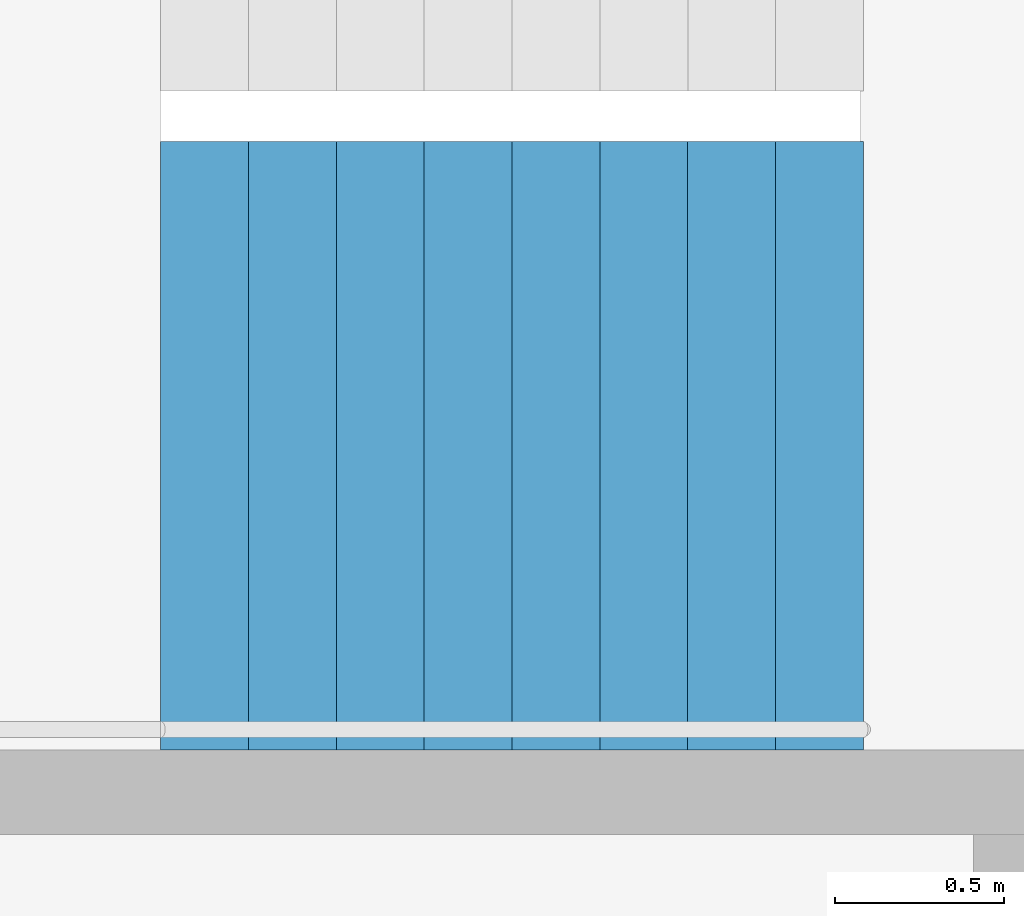
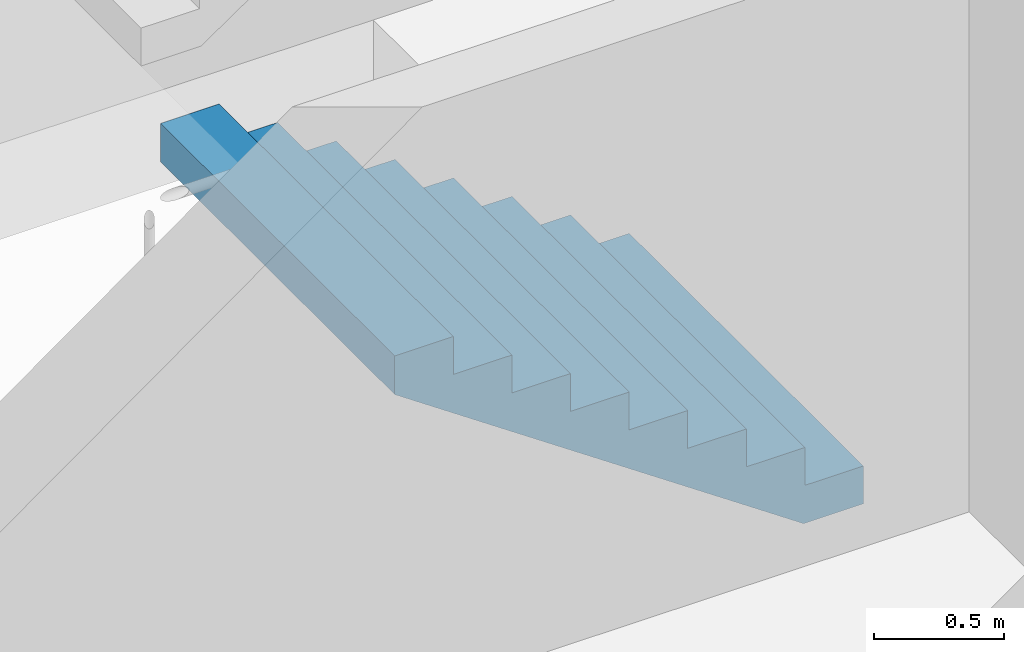
# One storey, part 22 of 28: 1 stair flight, 1 element without a shape of its own.
"""IFC4 building model written with IfcOpenShell, lengths in metres."""

from ifc_helpers import new_model, si_unit, direction, frame, origin, place, context, subcontext, project, spatial, triangles, material, type_object, element, aggregate, save


model = new_model("IFC4")

# Units and contexts
model_context = context("Model", 3, precision=1e-05, world=origin(), true_north=direction((0.0, 1.0)))
body_context = subcontext(model_context, "Body", "Model", "MODEL_VIEW")
ifc_project = project(units=[si_unit("LENGTHUNIT", "METRE"), si_unit("AREAUNIT", "SQUARE_METRE"), si_unit("VOLUMEUNIT", "CUBIC_METRE"), si_unit("PLANEANGLEUNIT", "RADIAN"), si_unit("MASSUNIT", "GRAM", prefix="KILO")], contexts=[model_context])

# Site, building, storey
site_placement = place(None, origin())
site = spatial("IfcSite", under=ifc_project, at=site_placement, CompositionType="ELEMENT")
building_placement = place(site_placement, origin())
building = spatial("IfcBuilding", under=site, at=building_placement, Name="Hakoniwa Tower and Hamabe Station Hall", CompositionType="ELEMENT")
storey_placement = place(building_placement, frame((0.0, 0.0, 218.60009765625)))
storey = spatial("IfcBuildingStorey", under=building, at=storey_placement, Name="L62", CompositionType="ELEMENT", Elevation=218.60009765625)

# Stair, stair flight
ifc_material_1 = material(Name="Concrete C40", Category="concrete")
stair_type = type_object("IfcStairType", Name="ESCAPE STAIR 1800", PredefinedType="HALF_TURN_STAIR", material=ifc_material_1)
stair_placement = place(storey_placement, origin())
stair = element("IfcStair", 1, at=stair_placement, inside=storey, type_object=stair_type, Name="Escape stair ST-3 L62", PredefinedType="HALF_TURN_STAIR")
ifc_material_2 = material(Name="Concrete C40", Category="concrete")
stair_flight_type = type_object("IfcStairFlightType", Name="STAIR FLIGHT 1800", PredefinedType="STRAIGHT", material=ifc_material_2)
stair_flight_placement = place(storey_placement, frame((24.39990234375, 4.64990234375, 0.0), z_axis=(0.0, 0.0, 1.0), x_axis=(-1.0, 0.0, 0.0)))
stair_flight = element("IfcStairFlight", 2, at=stair_flight_placement, type_object=stair_flight_type, Name="ST-3 flight 1", NumberOfRisers=9, NumberOfTreads=8, PredefinedType="STRAIGHT", RiserHeight=0.177777778, TreadLength=0.26, context=body_context, shape_type="Tessellation", body=[
    triangles([(0.0, 0.89990234375, 0.0), (0.260009765625, 0.89990234375, 0.0), (0.265625, 0.89990234375, 0.0), (0.52001953125, 0.89990234375, 0.174072265625), (0.780029296875, 0.89990234375, 0.351806640625), (1.0400390625, 0.89990234375, 0.529541015625), (1.300048828125, 0.89990234375, 0.707275390625), (1.56005859375, 0.89990234375, 0.885009765625), (1.820068359375, 0.89990234375, 1.062744140625), (2.080078125, 0.89990234375, 1.24072265625), (2.080078125, 0.89990234375, 1.422119140625), (1.820068359375, 0.89990234375, 1.422119140625), (1.820068359375, 0.89990234375, 1.244384765625), (1.56005859375, 0.89990234375, 1.244384765625), (1.56005859375, 0.89990234375, 1.066650390625), (1.300048828125, 0.89990234375, 1.066650390625), (1.300048828125, 0.89990234375, 0.888916015625), (1.0400390625, 0.89990234375, 0.888916015625), (1.0400390625, 0.89990234375, 0.711181640625), (0.780029296875, 0.89990234375, 0.711181640625), (0.780029296875, 0.89990234375, 0.533447265625), (0.52001953125, 0.89990234375, 0.533447265625), (0.52001953125, 0.89990234375, 0.35546875), (0.265625, 0.89990234375, 0.35546875), (0.260009765625, 0.89990234375, 0.35546875), (0.260009765625, 0.89990234375, 0.177734375), (0.0, 0.89990234375, 0.177734375), (0.0, 0.06005859375, 0.0), (0.260009765625, 0.06005859375, 0.0), (0.265625, 0.06005859375, 0.0), (0.52001953125, 0.06005859375, 0.174072265625), (0.780029296875, 0.06005859375, 0.351806640625), (1.0400390625, 0.06005859375, 0.529541015625), (1.300048828125, 0.06005859375, 0.707275390625), (1.56005859375, 0.06005859375, 0.885009765625), (1.820068359375, 0.06005859375, 1.062744140625), (2.080078125, 0.06005859375, 1.24072265625), (2.080078125, 0.06005859375, 1.422119140625), (1.820068359375, 0.06005859375, 1.422119140625), (1.820068359375, 0.06005859375, 1.244384765625), (1.56005859375, 0.06005859375, 1.244384765625), (1.56005859375, 0.06005859375, 1.066650390625), (1.300048828125, 0.06005859375, 1.066650390625), (1.300048828125, 0.06005859375, 0.888916015625), (1.0400390625, 0.06005859375, 0.888916015625), (1.0400390625, 0.06005859375, 0.711181640625), (0.780029296875, 0.06005859375, 0.711181640625), (0.780029296875, 0.06005859375, 0.533447265625), (0.52001953125, 0.06005859375, 0.533447265625), (0.52001953125, 0.06005859375, 0.35546875), (0.265625, 0.06005859375, 0.35546875), (0.260009765625, 0.06005859375, 0.35546875), (0.260009765625, 0.06005859375, 0.177734375), (0.0, 0.06005859375, 0.177734375), (0.0, 0.04296875, 0.0), (0.260009765625, 0.04296875, 0.0), (0.265625, 0.04296875, 0.0), (0.52001953125, 0.04296875, 0.174072265625), (0.780029296875, 0.04296875, 0.351806640625), (1.0400390625, 0.04296875, 0.529541015625), (1.300048828125, 0.04296875, 0.707275390625), (1.56005859375, 0.04296875, 0.885009765625), (1.820068359375, 0.04296875, 1.062744140625), (2.080078125, 0.04296875, 1.24072265625), (2.080078125, 0.04296875, 1.422119140625), (1.820068359375, 0.04296875, 1.422119140625), (1.820068359375, 0.04296875, 1.244384765625), (1.56005859375, 0.04296875, 1.244384765625), (1.56005859375, 0.04296875, 1.066650390625), (1.300048828125, 0.04296875, 1.066650390625), (1.300048828125, 0.04296875, 0.888916015625), (1.0400390625, 0.04296875, 0.888916015625), (1.0400390625, 0.04296875, 0.711181640625), (0.780029296875, 0.04296875, 0.711181640625), (0.780029296875, 0.04296875, 0.533447265625), (0.52001953125, 0.04296875, 0.533447265625), (0.52001953125, 0.04296875, 0.35546875), (0.265625, 0.04296875, 0.35546875), (0.260009765625, 0.04296875, 0.35546875), (0.260009765625, 0.04296875, 0.177734375), (0.0, 0.04296875, 0.177734375), (0.0, 0.025634765625, 0.0), (0.260009765625, 0.025634765625, 0.0), (0.265625, 0.025634765625, 0.0), (0.52001953125, 0.025634765625, 0.174072265625), (0.780029296875, 0.025634765625, 0.351806640625), (1.0400390625, 0.025634765625, 0.529541015625), (1.300048828125, 0.025634765625, 0.707275390625), (1.56005859375, 0.025634765625, 0.885009765625), (1.820068359375, 0.025634765625, 1.062744140625), (2.080078125, 0.025634765625, 1.24072265625), (2.080078125, 0.025634765625, 1.422119140625), (1.820068359375, 0.025634765625, 1.422119140625), (1.820068359375, 0.025634765625, 1.244384765625), (1.56005859375, 0.025634765625, 1.244384765625), (1.56005859375, 0.025634765625, 1.066650390625), (1.300048828125, 0.025634765625, 1.066650390625), (1.300048828125, 0.025634765625, 0.888916015625), (1.0400390625, 0.025634765625, 0.888916015625), (1.0400390625, 0.025634765625, 0.711181640625), (0.780029296875, 0.025634765625, 0.711181640625), (0.780029296875, 0.025634765625, 0.533447265625), (0.52001953125, 0.025634765625, 0.533447265625), (0.52001953125, 0.025634765625, 0.35546875), (0.265625, 0.025634765625, 0.35546875), (0.260009765625, 0.025634765625, 0.35546875), (0.260009765625, 0.025634765625, 0.177734375), (0.0, 0.025634765625, 0.177734375), (0.0, 0.008544921875, 0.0), (0.260009765625, 0.008544921875, 0.0), (0.265625, 0.008544921875, 0.0), (0.52001953125, 0.008544921875, 0.174072265625), (0.780029296875, 0.008544921875, 0.351806640625), (1.0400390625, 0.008544921875, 0.529541015625), (1.300048828125, 0.008544921875, 0.707275390625), (1.56005859375, 0.008544921875, 0.885009765625), (1.820068359375, 0.008544921875, 1.062744140625), (2.080078125, 0.008544921875, 1.24072265625), (2.080078125, 0.008544921875, 1.422119140625), (1.820068359375, 0.008544921875, 1.422119140625), (1.820068359375, 0.008544921875, 1.244384765625), (1.56005859375, 0.008544921875, 1.244384765625), (1.56005859375, 0.008544921875, 1.066650390625), (1.300048828125, 0.008544921875, 1.066650390625), (1.300048828125, 0.008544921875, 0.888916015625), (1.0400390625, 0.008544921875, 0.888916015625), (1.0400390625, 0.008544921875, 0.711181640625), (0.780029296875, 0.008544921875, 0.711181640625), (0.780029296875, 0.008544921875, 0.533447265625), (0.52001953125, 0.008544921875, 0.533447265625), (0.52001953125, 0.008544921875, 0.35546875), (0.265625, 0.008544921875, 0.35546875), (0.260009765625, 0.008544921875, 0.35546875), (0.260009765625, 0.008544921875, 0.177734375), (0.0, 0.008544921875, 0.177734375), (0.0, -0.008544921875, 0.0), (0.260009765625, -0.008544921875, 0.0), (0.265625, -0.008544921875, 0.0), (0.52001953125, -0.008544921875, 0.174072265625), (0.780029296875, -0.008544921875, 0.351806640625), (1.0400390625, -0.008544921875, 0.529541015625), (1.300048828125, -0.008544921875, 0.707275390625), (1.56005859375, -0.008544921875, 0.885009765625), (1.820068359375, -0.008544921875, 1.062744140625), (2.080078125, -0.008544921875, 1.24072265625), (2.080078125, -0.008544921875, 1.422119140625), (1.820068359375, -0.008544921875, 1.422119140625), (1.820068359375, -0.008544921875, 1.244384765625), (1.56005859375, -0.008544921875, 1.244384765625), (1.56005859375, -0.008544921875, 1.066650390625), (1.300048828125, -0.008544921875, 1.066650390625), (1.300048828125, -0.008544921875, 0.888916015625), (1.0400390625, -0.008544921875, 0.888916015625), (1.0400390625, -0.008544921875, 0.711181640625), (0.780029296875, -0.008544921875, 0.711181640625), (0.780029296875, -0.008544921875, 0.533447265625), (0.52001953125, -0.008544921875, 0.533447265625), (0.52001953125, -0.008544921875, 0.35546875), (0.265625, -0.008544921875, 0.35546875), (0.260009765625, -0.008544921875, 0.35546875), (0.260009765625, -0.008544921875, 0.177734375), (0.0, -0.008544921875, 0.177734375), (0.0, -0.025634765625, 0.0), (0.260009765625, -0.025634765625, 0.0), (0.265625, -0.025634765625, 0.0), (0.52001953125, -0.025634765625, 0.174072265625), (0.780029296875, -0.025634765625, 0.351806640625), (1.0400390625, -0.025634765625, 0.529541015625), (1.300048828125, -0.025634765625, 0.707275390625), (1.56005859375, -0.025634765625, 0.885009765625), (1.820068359375, -0.025634765625, 1.062744140625), (2.080078125, -0.025634765625, 1.24072265625), (2.080078125, -0.025634765625, 1.422119140625), (1.820068359375, -0.025634765625, 1.422119140625), (1.820068359375, -0.025634765625, 1.244384765625), (1.56005859375, -0.025634765625, 1.244384765625), (1.56005859375, -0.025634765625, 1.066650390625), (1.300048828125, -0.025634765625, 1.066650390625), (1.300048828125, -0.025634765625, 0.888916015625), (1.0400390625, -0.025634765625, 0.888916015625), (1.0400390625, -0.025634765625, 0.711181640625), (0.780029296875, -0.025634765625, 0.711181640625), (0.780029296875, -0.025634765625, 0.533447265625), (0.52001953125, -0.025634765625, 0.533447265625), (0.52001953125, -0.025634765625, 0.35546875), (0.265625, -0.025634765625, 0.35546875), (0.260009765625, -0.025634765625, 0.35546875), (0.260009765625, -0.025634765625, 0.177734375), (0.0, -0.025634765625, 0.177734375), (0.0, -0.04296875, 0.0), (0.260009765625, -0.04296875, 0.0), (0.265625, -0.04296875, 0.0), (0.52001953125, -0.04296875, 0.174072265625), (0.780029296875, -0.04296875, 0.351806640625), (1.0400390625, -0.04296875, 0.529541015625), (1.300048828125, -0.04296875, 0.707275390625), (1.56005859375, -0.04296875, 0.885009765625), (1.820068359375, -0.04296875, 1.062744140625), (2.080078125, -0.04296875, 1.24072265625), (2.080078125, -0.04296875, 1.422119140625), (1.820068359375, -0.04296875, 1.422119140625), (1.820068359375, -0.04296875, 1.244384765625), (1.56005859375, -0.04296875, 1.244384765625), (1.56005859375, -0.04296875, 1.066650390625), (1.300048828125, -0.04296875, 1.066650390625), (1.300048828125, -0.04296875, 0.888916015625), (1.0400390625, -0.04296875, 0.888916015625), (1.0400390625, -0.04296875, 0.711181640625), (0.780029296875, -0.04296875, 0.711181640625), (0.780029296875, -0.04296875, 0.533447265625), (0.52001953125, -0.04296875, 0.533447265625), (0.52001953125, -0.04296875, 0.35546875), (0.265625, -0.04296875, 0.35546875), (0.260009765625, -0.04296875, 0.35546875), (0.260009765625, -0.04296875, 0.177734375), (0.0, -0.04296875, 0.177734375), (0.0, -0.06005859375, 0.0), (0.260009765625, -0.06005859375, 0.0), (0.265625, -0.06005859375, 0.0), (0.52001953125, -0.06005859375, 0.174072265625), (0.780029296875, -0.06005859375, 0.351806640625), (1.0400390625, -0.06005859375, 0.529541015625), (1.300048828125, -0.06005859375, 0.707275390625), (1.56005859375, -0.06005859375, 0.885009765625), (1.820068359375, -0.06005859375, 1.062744140625), (2.080078125, -0.06005859375, 1.24072265625), (2.080078125, -0.06005859375, 1.422119140625), (1.820068359375, -0.06005859375, 1.422119140625), (1.820068359375, -0.06005859375, 1.244384765625), (1.56005859375, -0.06005859375, 1.244384765625), (1.56005859375, -0.06005859375, 1.066650390625), (1.300048828125, -0.06005859375, 1.066650390625), (1.300048828125, -0.06005859375, 0.888916015625), (1.0400390625, -0.06005859375, 0.888916015625), (1.0400390625, -0.06005859375, 0.711181640625), (0.780029296875, -0.06005859375, 0.711181640625), (0.780029296875, -0.06005859375, 0.533447265625), (0.52001953125, -0.06005859375, 0.533447265625), (0.52001953125, -0.06005859375, 0.35546875), (0.265625, -0.06005859375, 0.35546875), (0.260009765625, -0.06005859375, 0.35546875), (0.260009765625, -0.06005859375, 0.177734375), (0.0, -0.06005859375, 0.177734375), (0.0, -0.89990234375, 0.0), (0.260009765625, -0.89990234375, 0.0), (0.265625, -0.89990234375, 0.0), (0.52001953125, -0.89990234375, 0.174072265625), (0.780029296875, -0.89990234375, 0.351806640625), (1.0400390625, -0.89990234375, 0.529541015625), (1.300048828125, -0.89990234375, 0.707275390625), (1.56005859375, -0.89990234375, 0.885009765625), (1.820068359375, -0.89990234375, 1.062744140625), (2.080078125, -0.89990234375, 1.24072265625), (2.080078125, -0.89990234375, 1.422119140625), (1.820068359375, -0.89990234375, 1.422119140625), (1.820068359375, -0.89990234375, 1.244384765625), (1.56005859375, -0.89990234375, 1.244384765625), (1.56005859375, -0.89990234375, 1.066650390625), (1.300048828125, -0.89990234375, 1.066650390625), (1.300048828125, -0.89990234375, 0.888916015625), (1.0400390625, -0.89990234375, 0.888916015625), (1.0400390625, -0.89990234375, 0.711181640625), (0.780029296875, -0.89990234375, 0.711181640625), (0.780029296875, -0.89990234375, 0.533447265625), (0.52001953125, -0.89990234375, 0.533447265625), (0.52001953125, -0.89990234375, 0.35546875), (0.265625, -0.89990234375, 0.35546875), (0.260009765625, -0.89990234375, 0.35546875), (0.260009765625, -0.89990234375, 0.177734375), (0.0, -0.89990234375, 0.177734375)], [[2, 27, 26], [245, 269, 270], [2, 1, 27], [245, 270, 244], [3, 25, 24], [246, 267, 268], [3, 26, 25], [246, 268, 269], [3, 2, 26], [246, 269, 245], [4, 24, 23], [247, 266, 267], [4, 3, 24], [247, 267, 246], [5, 22, 21], [248, 264, 265], [5, 23, 22], [248, 265, 266], [5, 4, 23], [248, 266, 247], [6, 20, 19], [249, 262, 263], [6, 21, 20], [249, 263, 264], [6, 5, 21], [249, 264, 248], [7, 18, 17], [250, 260, 261], [7, 19, 18], [250, 261, 262], [7, 6, 19], [250, 262, 249], [8, 16, 15], [251, 258, 259], [8, 17, 16], [251, 259, 260], [8, 7, 17], [251, 260, 250], [9, 14, 13], [252, 256, 257], [9, 15, 14], [252, 257, 258], [9, 8, 15], [252, 258, 251], [10, 12, 11], [253, 254, 255], [10, 13, 12], [253, 255, 256], [10, 9, 13], [253, 256, 252], [1, 2, 29], [1, 29, 28], [28, 29, 56], [28, 56, 55], [55, 56, 83], [55, 83, 82], [82, 83, 110], [82, 110, 109], [109, 110, 137], [109, 137, 136], [136, 137, 164], [136, 164, 163], [163, 164, 191], [163, 191, 190], [190, 191, 218], [190, 218, 217], [217, 218, 245], [217, 245, 244], [2, 3, 30], [2, 30, 29], [29, 30, 57], [29, 57, 56], [56, 57, 84], [56, 84, 83], [83, 84, 111], [83, 111, 110], [110, 111, 138], [110, 138, 137], [137, 138, 165], [137, 165, 164], [164, 165, 192], [164, 192, 191], [191, 192, 219], [191, 219, 218], [218, 219, 246], [218, 246, 245], [3, 4, 31], [3, 31, 30], [30, 31, 58], [30, 58, 57], [57, 58, 85], [57, 85, 84], [84, 85, 112], [84, 112, 111], [111, 112, 139], [111, 139, 138], [138, 139, 166], [138, 166, 165], [165, 166, 193], [165, 193, 192], [192, 193, 220], [192, 220, 219], [219, 220, 247], [219, 247, 246], [4, 5, 32], [4, 32, 31], [31, 32, 59], [31, 59, 58], [58, 59, 86], [58, 86, 85], [85, 86, 113], [85, 113, 112], [112, 113, 140], [112, 140, 139], [139, 140, 167], [139, 167, 166], [166, 167, 194], [166, 194, 193], [193, 194, 221], [193, 221, 220], [220, 221, 248], [220, 248, 247], [5, 6, 33], [5, 33, 32], [32, 33, 60], [32, 60, 59], [59, 60, 87], [59, 87, 86], [86, 87, 114], [86, 114, 113], [113, 114, 141], [113, 141, 140], [140, 141, 168], [140, 168, 167], [167, 168, 195], [167, 195, 194], [194, 195, 222], [194, 222, 221], [221, 222, 249], [221, 249, 248], [6, 7, 34], [6, 34, 33], [33, 34, 61], [33, 61, 60], [60, 61, 88], [60, 88, 87], [87, 88, 115], [87, 115, 114], [114, 115, 142], [114, 142, 141], [141, 142, 169], [141, 169, 168], [168, 169, 196], [168, 196, 195], [195, 196, 223], [195, 223, 222], [222, 223, 250], [222, 250, 249], [7, 8, 35], [7, 35, 34], [34, 35, 62], [34, 62, 61], [61, 62, 89], [61, 89, 88], [88, 89, 116], [88, 116, 115], [115, 116, 143], [115, 143, 142], [142, 143, 170], [142, 170, 169], [169, 170, 197], [169, 197, 196], [196, 197, 224], [196, 224, 223], [223, 224, 251], [223, 251, 250], [8, 9, 36], [8, 36, 35], [35, 36, 63], [35, 63, 62], [62, 63, 90], [62, 90, 89], [89, 90, 117], [89, 117, 116], [116, 117, 144], [116, 144, 143], [143, 144, 171], [143, 171, 170], [170, 171, 198], [170, 198, 197], [197, 198, 225], [197, 225, 224], [224, 225, 252], [224, 252, 251], [9, 10, 37], [9, 37, 36], [36, 37, 64], [36, 64, 63], [63, 64, 91], [63, 91, 90], [90, 91, 118], [90, 118, 117], [117, 118, 145], [117, 145, 144], [144, 145, 172], [144, 172, 171], [171, 172, 199], [171, 199, 198], [198, 199, 226], [198, 226, 225], [225, 226, 253], [225, 253, 252], [10, 11, 38], [10, 38, 37], [37, 38, 65], [37, 65, 64], [64, 65, 92], [64, 92, 91], [91, 92, 119], [91, 119, 118], [118, 119, 146], [118, 146, 145], [145, 146, 173], [145, 173, 172], [172, 173, 200], [172, 200, 199], [199, 200, 227], [199, 227, 226], [226, 227, 254], [226, 254, 253], [11, 12, 39], [11, 39, 38], [38, 39, 66], [38, 66, 65], [65, 66, 93], [65, 93, 92], [92, 93, 120], [92, 120, 119], [119, 120, 147], [119, 147, 146], [146, 147, 174], [146, 174, 173], [173, 174, 201], [173, 201, 200], [200, 201, 228], [200, 228, 227], [227, 228, 255], [227, 255, 254], [12, 13, 40], [12, 40, 39], [39, 40, 67], [39, 67, 66], [66, 67, 94], [66, 94, 93], [93, 94, 121], [93, 121, 120], [120, 121, 148], [120, 148, 147], [147, 148, 175], [147, 175, 174], [174, 175, 202], [174, 202, 201], [201, 202, 229], [201, 229, 228], [228, 229, 256], [228, 256, 255], [13, 14, 41], [13, 41, 40], [40, 41, 68], [40, 68, 67], [67, 68, 95], [67, 95, 94], [94, 95, 122], [94, 122, 121], [121, 122, 149], [121, 149, 148], [148, 149, 176], [148, 176, 175], [175, 176, 203], [175, 203, 202], [202, 203, 230], [202, 230, 229], [229, 230, 257], [229, 257, 256], [14, 15, 42], [14, 42, 41], [41, 42, 69], [41, 69, 68], [68, 69, 96], [68, 96, 95], [95, 96, 123], [95, 123, 122], [122, 123, 150], [122, 150, 149], [149, 150, 177], [149, 177, 176], [176, 177, 204], [176, 204, 203], [203, 204, 231], [203, 231, 230], [230, 231, 258], [230, 258, 257], [15, 16, 43], [15, 43, 42], [42, 43, 70], [42, 70, 69], [69, 70, 97], [69, 97, 96], [96, 97, 124], [96, 124, 123], [123, 124, 151], [123, 151, 150], [150, 151, 178], [150, 178, 177], [177, 178, 205], [177, 205, 204], [204, 205, 232], [204, 232, 231], [231, 232, 259], [231, 259, 258], [16, 17, 44], [16, 44, 43], [43, 44, 71], [43, 71, 70], [70, 71, 98], [70, 98, 97], [97, 98, 125], [97, 125, 124], [124, 125, 152], [124, 152, 151], [151, 152, 179], [151, 179, 178], [178, 179, 206], [178, 206, 205], [205, 206, 233], [205, 233, 232], [232, 233, 260], [232, 260, 259], [17, 18, 45], [17, 45, 44], [44, 45, 72], [44, 72, 71], [71, 72, 99], [71, 99, 98], [98, 99, 126], [98, 126, 125], [125, 126, 153], [125, 153, 152], [152, 153, 180], [152, 180, 179], [179, 180, 207], [179, 207, 206], [206, 207, 234], [206, 234, 233], [233, 234, 261], [233, 261, 260], [18, 19, 46], [18, 46, 45], [45, 46, 73], [45, 73, 72], [72, 73, 100], [72, 100, 99], [99, 100, 127], [99, 127, 126], [126, 127, 154], [126, 154, 153], [153, 154, 181], [153, 181, 180], [180, 181, 208], [180, 208, 207], [207, 208, 235], [207, 235, 234], [234, 235, 262], [234, 262, 261], [19, 20, 47], [19, 47, 46], [46, 47, 74], [46, 74, 73], [73, 74, 101], [73, 101, 100], [100, 101, 128], [100, 128, 127], [127, 128, 155], [127, 155, 154], [154, 155, 182], [154, 182, 181], [181, 182, 209], [181, 209, 208], [208, 209, 236], [208, 236, 235], [235, 236, 263], [235, 263, 262], [20, 21, 48], [20, 48, 47], [47, 48, 75], [47, 75, 74], [74, 75, 102], [74, 102, 101], [101, 102, 129], [101, 129, 128], [128, 129, 156], [128, 156, 155], [155, 156, 183], [155, 183, 182], [182, 183, 210], [182, 210, 209], [209, 210, 237], [209, 237, 236], [236, 237, 264], [236, 264, 263], [21, 22, 49], [21, 49, 48], [48, 49, 76], [48, 76, 75], [75, 76, 103], [75, 103, 102], [102, 103, 130], [102, 130, 129], [129, 130, 157], [129, 157, 156], [156, 157, 184], [156, 184, 183], [183, 184, 211], [183, 211, 210], [210, 211, 238], [210, 238, 237], [237, 238, 265], [237, 265, 264], [22, 23, 50], [22, 50, 49], [49, 50, 77], [49, 77, 76], [76, 77, 104], [76, 104, 103], [103, 104, 131], [103, 131, 130], [130, 131, 158], [130, 158, 157], [157, 158, 185], [157, 185, 184], [184, 185, 212], [184, 212, 211], [211, 212, 239], [211, 239, 238], [238, 239, 266], [238, 266, 265], [23, 24, 51], [23, 51, 50], [50, 51, 78], [50, 78, 77], [77, 78, 105], [77, 105, 104], [104, 105, 132], [104, 132, 131], [131, 132, 159], [131, 159, 158], [158, 159, 186], [158, 186, 185], [185, 186, 213], [185, 213, 212], [212, 213, 240], [212, 240, 239], [239, 240, 267], [239, 267, 266], [24, 25, 52], [24, 52, 51], [51, 52, 79], [51, 79, 78], [78, 79, 106], [78, 106, 105], [105, 106, 133], [105, 133, 132], [132, 133, 160], [132, 160, 159], [159, 160, 187], [159, 187, 186], [186, 187, 214], [186, 214, 213], [213, 214, 241], [213, 241, 240], [240, 241, 268], [240, 268, 267], [25, 26, 53], [25, 53, 52], [52, 53, 80], [52, 80, 79], [79, 80, 107], [79, 107, 106], [106, 107, 134], [106, 134, 133], [133, 134, 161], [133, 161, 160], [160, 161, 188], [160, 188, 187], [187, 188, 215], [187, 215, 214], [214, 215, 242], [214, 242, 241], [241, 242, 269], [241, 269, 268], [26, 27, 54], [26, 54, 53], [53, 54, 81], [53, 81, 80], [80, 81, 108], [80, 108, 107], [107, 108, 135], [107, 135, 134], [134, 135, 162], [134, 162, 161], [161, 162, 189], [161, 189, 188], [188, 189, 216], [188, 216, 215], [215, 216, 243], [215, 243, 242], [242, 243, 270], [242, 270, 269], [27, 1, 28], [27, 28, 54], [54, 28, 55], [54, 55, 81], [81, 55, 82], [81, 82, 108], [108, 82, 109], [108, 109, 135], [135, 109, 136], [135, 136, 162], [162, 136, 163], [162, 163, 189], [189, 163, 190], [189, 190, 216], [216, 190, 217], [216, 217, 243], [243, 217, 244], [243, 244, 270]], closed=True),
])
aggregate(stair, [stair_flight])

save(model, "model.ifc")
